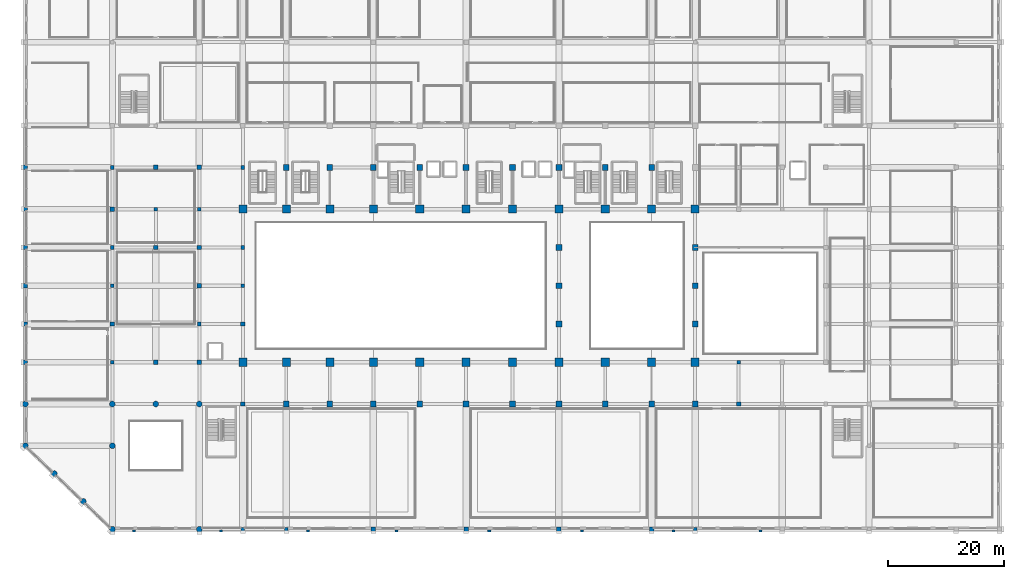
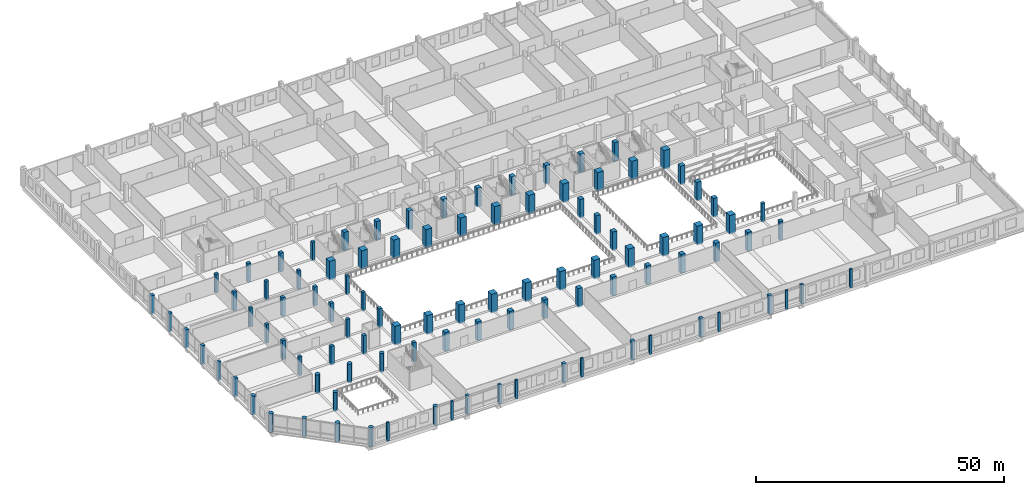
# One storey, part 1 of 64: 101 columns.
"""IFC4 building model written with IfcOpenShell, lengths in metres."""

from ifc_helpers import new_model, si_unit, direction, frame, origin, origin_2d, place, context, subcontext, project, spatial, rectangle, circle, extrude, material, material_profile, profile_set, type_object, element, save


model = new_model("IFC4")

# Units and contexts
model_context = context("Model", 3, precision=1e-05, world=origin(), true_north=direction((0.0, 1.0)))
body_context = subcontext(model_context, "Body", "Model", "MODEL_VIEW")
ifc_project = project(units=[si_unit("LENGTHUNIT", "METRE"), si_unit("AREAUNIT", "SQUARE_METRE"), si_unit("VOLUMEUNIT", "CUBIC_METRE"), si_unit("PLANEANGLEUNIT", "RADIAN"), si_unit("MASSUNIT", "GRAM", prefix="KILO")], contexts=[model_context])

# Site, building, storey
site_placement = place(None, origin())
site = spatial("IfcSite", under=ifc_project, at=site_placement, CompositionType="ELEMENT")
building_placement = place(site_placement, origin())
building = spatial("IfcBuilding", under=site, at=building_placement, Name="Akrevak Sports Hall", CompositionType="ELEMENT")
storey_placement = place(building_placement, frame((0.0, 0.0, 4.60009765625)))
storey = spatial("IfcBuildingStorey", under=building, at=storey_placement, Name="L01", CompositionType="ELEMENT", Elevation=4.60009765625)

# Columns
ifc_material_1 = material(Name="Concrete C50/60", Category="concrete")
ifc_material_profile_1 = material_profile(ifc_material_1, circle(Radius=0.5, at=origin_2d()), Name="COL D1000", Category="concrete")
ifc_profile_set_1 = profile_set([ifc_material_profile_1], Name="Concrete C50/60")
column_type_1 = type_object("IfcColumnType", Name="STR-COL-D1000", PredefinedType="COLUMN", material=ifc_profile_set_1)
for number, where, z_axis, x_axis, name in (
    (1, (0.0, 14.39990234375, -0.300048828125), (0.0, 0.0, 1.0), (1.0, 0.0, 0.0), "Column 1/C (L01)"),
    (2, (0.0, 21.60009765625, -0.300048828125), (0.0, 0.0, 1.0), (1.0, 0.0, 0.0), "Column 1/D (L01)"),
    (3, (15.0, 0.0, -0.300048828125), (0.0, 0.0, 1.0), (1.0, 0.0, 0.0), "Column 3/A (L01)"),
    (4, (15.0, 14.39990234375, -0.300048828125), (0.0, 0.0, 1.0), (1.0, 0.0, 0.0), "Column 3/C (L01)"),
    (5, (15.0, 21.60009765625, -0.300048828125), (0.0, 0.0, 1.0), (1.0, 0.0, 0.0), "Column 3/D (L01)"),
    (6, (22.5, 21.60009765625, -0.300048828125), (0.0, 0.0, 1.0), (1.0, 0.0, 0.0), "Column 4/D (L01)"),
    (7, (30.0, 0.0, -0.300048828125), (0.0, 0.0, 1.0), (1.0, 0.0, 0.0), "Column 5/A (L01)"),
    (8, (30.0, 21.60009765625, -0.300048828125), (0.0, 0.0, 1.0), (1.0, 0.0, 0.0), "Column 5/D (L01)"),
    (9, (10.0, 4.800048828125, -0.300048828125), (0.0, 0.0, 1.0), (1.0, 0.0, 0.0), "Beaux-Arts Chamfer Colonnade Column CH1 (L01)"),
    (10, (5.0, 9.60009765625, -0.300048828125), (0.0, 0.0, 1.0), (1.0, 0.0, 0.0), "Beaux-Arts Chamfer Colonnade Column CH2 (L01)"),
):
    element("IfcColumn", number, at=place(storey_placement, frame(where, z_axis=z_axis, x_axis=x_axis)), inside=storey, type_object=column_type_1, Name=name, PredefinedType="COLUMN", context=body_context, shape_type="SweptSolid", body=[
        extrude(circle(Radius=0.5, at=origin_2d()), origin(), (0.0, 0.0, 1.0), 4.64990234375),
    ])
ifc_material_profile_2 = material_profile(ifc_material_1, rectangle(XDim=1.0, YDim=1.0, at=origin_2d()), Name="RC 1000x1000", Category="concrete")
ifc_profile_set_2 = profile_set([ifc_material_profile_2], Name="Concrete C50/60")
column_type_2 = type_object("IfcColumnType", Name="STR-COL-RC1000", PredefinedType="COLUMN", material=ifc_profile_set_2)
for number, where, z_axis, x_axis, name in (
    (11, (45.0, 21.60009765625, -0.300048828125), (0.0, 0.0, 1.0), (1.0, 0.0, 0.0), "Column 7/D (L01)"),
    (12, (45.0, 62.39990234375, -0.300048828125), (0.0, 0.0, 1.0), (1.0, 0.0, 0.0), "Column 7/J (L01)"),
    (13, (52.5, 21.60009765625, -0.300048828125), (0.0, 0.0, 1.0), (1.0, 0.0, 0.0), "Column 8/D (L01)"),
    (14, (52.5, 62.39990234375, -0.300048828125), (0.0, 0.0, 1.0), (1.0, 0.0, 0.0), "Column 8/J (L01)"),
    (15, (60.0, 21.60009765625, -0.300048828125), (0.0, 0.0, 1.0), (1.0, 0.0, 0.0), "Column 9/D (L01)"),
    (16, (60.0, 62.39990234375, -0.300048828125), (0.0, 0.0, 1.0), (1.0, 0.0, 0.0), "Column 9/J (L01)"),
    (17, (68.0, 21.60009765625, -0.300048828125), (0.0, 0.0, 1.0), (1.0, 0.0, 0.0), "Column 10/D (L01)"),
    (18, (68.0, 62.39990234375, -0.300048828125), (0.0, 0.0, 1.0), (1.0, 0.0, 0.0), "Column 10/J (L01)"),
    (19, (76.0, 21.60009765625, -0.300048828125), (0.0, 0.0, 1.0), (1.0, 0.0, 0.0), "Column 11/D (L01)"),
    (20, (76.0, 62.39990234375, -0.300048828125), (0.0, 0.0, 1.0), (1.0, 0.0, 0.0), "Column 11/J (L01)"),
    (21, (84.0, 21.60009765625, -0.300048828125), (0.0, 0.0, 1.0), (1.0, 0.0, 0.0), "Column 12/D (L01)"),
    (22, (84.0, 62.39990234375, -0.300048828125), (0.0, 0.0, 1.0), (1.0, 0.0, 0.0), "Column 12/J (L01)"),
    (23, (92.0, 21.60009765625, -0.300048828125), (0.0, 0.0, 1.0), (1.0, 0.0, 0.0), "Column 13/D (L01)"),
    (24, (92.0, 35.39990234375, -0.300048828125), (0.0, 0.0, 1.0), (1.0, 0.0, 0.0), "Column 13/F (L01)"),
    (25, (92.0, 42.0, -0.300048828125), (0.0, 0.0, 1.0), (1.0, 0.0, 0.0), "Column 13/G (L01)"),
    (26, (92.0, 48.60009765625, -0.300048828125), (0.0, 0.0, 1.0), (1.0, 0.0, 0.0), "Column 13/H (L01)"),
    (27, (92.0, 62.39990234375, -0.300048828125), (0.0, 0.0, 1.0), (1.0, 0.0, 0.0), "Column 13/J (L01)"),
    (28, (100.0, 21.60009765625, -0.300048828125), (0.0, 0.0, 1.0), (1.0, 0.0, 0.0), "Column 14/D (L01)"),
    (29, (100.0, 62.39990234375, -0.300048828125), (0.0, 0.0, 1.0), (1.0, 0.0, 0.0), "Column 14/J (L01)"),
    (30, (108.0, 21.60009765625, -0.300048828125), (0.0, 0.0, 1.0), (1.0, 0.0, 0.0), "Column 15/D (L01)"),
    (31, (108.0, 62.39990234375, -0.300048828125), (0.0, 0.0, 1.0), (1.0, 0.0, 0.0), "Column 15/J (L01)"),
    (32, (115.5, 21.60009765625, -0.300048828125), (0.0, 0.0, 1.0), (1.0, 0.0, 0.0), "Column 16/D (L01)"),
    (33, (115.5, 35.39990234375, -0.300048828125), (0.0, 0.0, 1.0), (1.0, 0.0, 0.0), "Column 16/F (L01)"),
    (34, (115.5, 42.0, -0.300048828125), (0.0, 0.0, 1.0), (1.0, 0.0, 0.0), "Column 16/G (L01)"),
    (35, (115.5, 48.60009765625, -0.300048828125), (0.0, 0.0, 1.0), (1.0, 0.0, 0.0), "Column 16/H (L01)"),
):
    element("IfcColumn", number, at=place(storey_placement, frame(where, z_axis=z_axis, x_axis=x_axis)), inside=storey, type_object=column_type_2, Name=name, PredefinedType="COLUMN", context=body_context, shape_type="SweptSolid", body=[
        extrude(rectangle(XDim=1.0, YDim=1.0, at=origin_2d()), origin(), (0.0, 0.0, 1.0), 4.64990234375),
    ])
ifc_material_profile_3 = material_profile(ifc_material_1, rectangle(XDim=1.39990234375, YDim=1.39990234375, at=origin_2d()), Name="RC 1400x1400", Category="concrete")
ifc_profile_set_3 = profile_set([ifc_material_profile_3], Name="Concrete C50/60")
column_type_3 = type_object("IfcColumnType", Name="STR-COL-RC1400", PredefinedType="COLUMN", material=ifc_profile_set_3)
for number, where, z_axis, x_axis, name in (
    (36, (37.5, 28.800048828125, -0.300048828125), (0.0, 0.0, 1.0), (1.0, 0.0, 0.0), "Column 6/E (L01)"),
    (37, (37.5, 55.199951171875, -0.300048828125), (0.0, 0.0, 1.0), (1.0, 0.0, 0.0), "Column 6/I (L01)"),
    (38, (45.0, 28.800048828125, -0.300048828125), (0.0, 0.0, 1.0), (1.0, 0.0, 0.0), "Column 7/E (L01)"),
    (39, (45.0, 55.199951171875, -0.300048828125), (0.0, 0.0, 1.0), (1.0, 0.0, 0.0), "Column 7/I (L01)"),
    (40, (52.5, 28.800048828125, -0.300048828125), (0.0, 0.0, 1.0), (1.0, 0.0, 0.0), "Column 8/E (L01)"),
    (41, (52.5, 55.199951171875, -0.300048828125), (0.0, 0.0, 1.0), (1.0, 0.0, 0.0), "Column 8/I (L01)"),
    (42, (60.0, 28.800048828125, -0.300048828125), (0.0, 0.0, 1.0), (1.0, 0.0, 0.0), "Column 9/E (L01)"),
    (43, (60.0, 55.199951171875, -0.300048828125), (0.0, 0.0, 1.0), (1.0, 0.0, 0.0), "Column 9/I (L01)"),
    (44, (68.0, 28.800048828125, -0.300048828125), (0.0, 0.0, 1.0), (1.0, 0.0, 0.0), "Column 10/E (L01)"),
    (45, (68.0, 55.199951171875, -0.300048828125), (0.0, 0.0, 1.0), (1.0, 0.0, 0.0), "Column 10/I (L01)"),
    (46, (76.0, 28.800048828125, -0.300048828125), (0.0, 0.0, 1.0), (1.0, 0.0, 0.0), "Column 11/E (L01)"),
    (47, (76.0, 55.199951171875, -0.300048828125), (0.0, 0.0, 1.0), (1.0, 0.0, 0.0), "Column 11/I (L01)"),
    (48, (84.0, 28.800048828125, -0.300048828125), (0.0, 0.0, 1.0), (1.0, 0.0, 0.0), "Column 12/E (L01)"),
    (49, (84.0, 55.199951171875, -0.300048828125), (0.0, 0.0, 1.0), (1.0, 0.0, 0.0), "Column 12/I (L01)"),
    (50, (92.0, 28.800048828125, -0.300048828125), (0.0, 0.0, 1.0), (1.0, 0.0, 0.0), "Column 13/E (L01)"),
    (51, (92.0, 55.199951171875, -0.300048828125), (0.0, 0.0, 1.0), (1.0, 0.0, 0.0), "Column 13/I (L01)"),
    (52, (100.0, 28.800048828125, -0.300048828125), (0.0, 0.0, 1.0), (1.0, 0.0, 0.0), "Column 14/E (L01)"),
    (53, (100.0, 55.199951171875, -0.300048828125), (0.0, 0.0, 1.0), (1.0, 0.0, 0.0), "Column 14/I (L01)"),
    (54, (108.0, 28.800048828125, -0.300048828125), (0.0, 0.0, 1.0), (1.0, 0.0, 0.0), "Column 15/E (L01)"),
    (55, (108.0, 55.199951171875, -0.300048828125), (0.0, 0.0, 1.0), (1.0, 0.0, 0.0), "Column 15/I (L01)"),
    (56, (115.5, 28.800048828125, -0.300048828125), (0.0, 0.0, 1.0), (1.0, 0.0, 0.0), "Column 16/E (L01)"),
    (57, (115.5, 55.199951171875, -0.300048828125), (0.0, 0.0, 1.0), (1.0, 0.0, 0.0), "Column 16/I (L01)"),
):
    element("IfcColumn", number, at=place(storey_placement, frame(where, z_axis=z_axis, x_axis=x_axis)), inside=storey, type_object=column_type_3, Name=name, PredefinedType="COLUMN", context=body_context, shape_type="SweptSolid", body=[
        extrude(rectangle(XDim=1.39990234375, YDim=1.39990234375, at=origin_2d()), origin(), (0.0, 0.0, 1.0), 4.64990234375),
    ])
ifc_material_2 = material(Name="Concrete C40/50", Category="concrete")
ifc_material_profile_4 = material_profile(ifc_material_2, rectangle(XDim=0.64990234375, YDim=0.64990234375, at=origin_2d()), Name="RC 650x650", Category="concrete")
ifc_profile_set_4 = profile_set([ifc_material_profile_4], Name="Concrete C40/50")
column_type_4 = type_object("IfcColumnType", Name="STR-COL-RC650", PredefinedType="COLUMN", material=ifc_profile_set_4)
for number, where, z_axis, x_axis, name in (
    (58, (0.0, 35.39990234375, -0.300048828125), (0.0, 0.0, 1.0), (1.0, 0.0, 0.0), "Column 1/F (L01)"),
    (59, (0.0, 55.199951171875, -0.300048828125), (0.0, 0.0, 1.0), (1.0, 0.0, 0.0), "Column 1/I (L01)"),
    (60, (15.0, 28.800048828125, -0.300048828125), (0.0, 0.0, 1.0), (1.0, 0.0, 0.0), "Column 3/E (L01)"),
    (61, (15.0, 42.0, -0.300048828125), (0.0, 0.0, 1.0), (1.0, 0.0, 0.0), "Column 3/G (L01)"),
    (62, (15.0, 48.60009765625, -0.300048828125), (0.0, 0.0, 1.0), (1.0, 0.0, 0.0), "Column 3/H (L01)"),
    (63, (15.0, 62.39990234375, -0.300048828125), (0.0, 0.0, 1.0), (1.0, 0.0, 0.0), "Column 3/J (L01)"),
    (64, (22.5, 55.199951171875, -0.300048828125), (0.0, 0.0, 1.0), (1.0, 0.0, 0.0), "Column 4/I (L01)"),
    (65, (30.0, 35.39990234375, -0.300048828125), (0.0, 0.0, 1.0), (1.0, 0.0, 0.0), "Column 5/F (L01)"),
    (66, (30.0, 55.199951171875, -0.300048828125), (0.0, 0.0, 1.0), (1.0, 0.0, 0.0), "Column 5/I (L01)"),
    (67, (37.5, 0.0, -0.300048828125), (0.0, 0.0, 1.0), (1.0, 0.0, 0.0), "Column 6/A (L01)"),
    (68, (37.5, 42.0, -0.300048828125), (0.0, 0.0, 1.0), (1.0, 0.0, 0.0), "Column 6/G (L01)"),
    (69, (37.5, 48.60009765625, -0.300048828125), (0.0, 0.0, 1.0), (1.0, 0.0, 0.0), "Column 6/H (L01)"),
    (70, (37.5, 62.39990234375, -0.300048828125), (0.0, 0.0, 1.0), (1.0, 0.0, 0.0), "Column 6/J (L01)"),
    (71, (45.0, 0.0, -0.300048828125), (0.0, 0.0, 1.0), (1.0, 0.0, 0.0), "Column 7/A (L01)"),
    (72, (115.5, 0.0, -0.300048828125), (0.0, 0.0, 1.0), (1.0, 0.0, 0.0), "Column 16/A (L01)"),
    (73, (123.0, 28.800048828125, -0.300048828125), (0.0, 0.0, 1.0), (1.0, 0.0, 0.0), "Column 17/E (L01)"),
):
    element("IfcColumn", number, at=place(storey_placement, frame(where, z_axis=z_axis, x_axis=x_axis)), inside=storey, type_object=column_type_4, Name=name, PredefinedType="COLUMN", context=body_context, shape_type="SweptSolid", body=[
        extrude(rectangle(XDim=0.64990234375, YDim=0.64990234375, at=origin_2d()), origin(), (0.0, 0.0, 1.0), 4.64990234375),
    ])
ifc_material_profile_5 = material_profile(ifc_material_2, rectangle(XDim=0.75, YDim=0.75, at=origin_2d()), Name="RC 750x750", Category="concrete")
ifc_profile_set_5 = profile_set([ifc_material_profile_5], Name="Concrete C40/50")
column_type_5 = type_object("IfcColumnType", Name="STR-COL-RC750", PredefinedType="COLUMN", material=ifc_profile_set_5)
for number, where, z_axis, x_axis, name in (
    (74, (0.0, 28.800048828125, -0.300048828125), (0.0, 0.0, 1.0), (1.0, 0.0, 0.0), "Column 1/E (L01)"),
    (75, (0.0, 42.0, -0.300048828125), (0.0, 0.0, 1.0), (1.0, 0.0, 0.0), "Column 1/G (L01)"),
    (76, (0.0, 48.60009765625, -0.300048828125), (0.0, 0.0, 1.0), (1.0, 0.0, 0.0), "Column 1/H (L01)"),
    (77, (0.0, 62.39990234375, -0.300048828125), (0.0, 0.0, 1.0), (1.0, 0.0, 0.0), "Column 1/J (L01)"),
    (78, (15.0, 35.39990234375, -0.300048828125), (0.0, 0.0, 1.0), (1.0, 0.0, 0.0), "Column 3/F (L01)"),
    (79, (15.0, 55.199951171875, -0.300048828125), (0.0, 0.0, 1.0), (1.0, 0.0, 0.0), "Column 3/I (L01)"),
    (80, (22.5, 28.800048828125, -0.300048828125), (0.0, 0.0, 1.0), (1.0, 0.0, 0.0), "Column 4/E (L01)"),
    (81, (22.5, 48.60009765625, -0.300048828125), (0.0, 0.0, 1.0), (1.0, 0.0, 0.0), "Column 4/H (L01)"),
    (82, (22.5, 62.39990234375, -0.300048828125), (0.0, 0.0, 1.0), (1.0, 0.0, 0.0), "Column 4/J (L01)"),
    (83, (30.0, 28.800048828125, -0.300048828125), (0.0, 0.0, 1.0), (1.0, 0.0, 0.0), "Column 5/E (L01)"),
    (84, (30.0, 42.0, -0.300048828125), (0.0, 0.0, 1.0), (1.0, 0.0, 0.0), "Column 5/G (L01)"),
    (85, (30.0, 48.60009765625, -0.300048828125), (0.0, 0.0, 1.0), (1.0, 0.0, 0.0), "Column 5/H (L01)"),
    (86, (30.0, 62.39990234375, -0.300048828125), (0.0, 0.0, 1.0), (1.0, 0.0, 0.0), "Column 5/J (L01)"),
    (87, (37.5, 21.60009765625, -0.300048828125), (0.0, 0.0, 1.0), (1.0, 0.0, 0.0), "Column 6/D (L01)"),
    (88, (37.5, 35.39990234375, -0.300048828125), (0.0, 0.0, 1.0), (1.0, 0.0, 0.0), "Column 6/F (L01)"),
    (89, (60.0, 0.0, -0.300048828125), (0.0, 0.0, 1.0), (1.0, 0.0, 0.0), "Column 9/A (L01)"),
    (90, (76.0, 0.0, -0.300048828125), (0.0, 0.0, 1.0), (1.0, 0.0, 0.0), "Column 11/A (L01)"),
    (91, (92.0, 0.0, -0.300048828125), (0.0, 0.0, 1.0), (1.0, 0.0, 0.0), "Column 13/A (L01)"),
    (92, (108.0, 0.0, -0.300048828125), (0.0, 0.0, 1.0), (1.0, 0.0, 0.0), "Column 15/A (L01)"),
    (93, (123.0, 21.60009765625, -0.300048828125), (0.0, 0.0, 1.0), (1.0, 0.0, 0.0), "Column 17/D (L01)"),
):
    element("IfcColumn", number, at=place(storey_placement, frame(where, z_axis=z_axis, x_axis=x_axis)), inside=storey, type_object=column_type_5, Name=name, PredefinedType="COLUMN", context=body_context, shape_type="SweptSolid", body=[
        extrude(rectangle(XDim=0.75, YDim=0.75, at=origin_2d()), origin(), (0.0, 0.0, 1.0), 4.64990234375),
    ])
ifc_material_profile_6 = material_profile(ifc_material_2, rectangle(XDim=0.550048828125, YDim=0.35009765625, at=origin_2d()), Name="PIL 550x350", Category="concrete")
ifc_profile_set_6 = profile_set([ifc_material_profile_6], Name="Concrete C40/50")
column_type_6 = type_object("IfcColumnType", Name="STR-PIL-550x350", PredefinedType="PILASTER", material=ifc_profile_set_6)
for number, where, z_axis, x_axis, name in (
    (94, (18.75, -0.260009765625, -0.300048828125), (0.0, 0.0, 1.0), (1.0, 0.0, 0.0), "Beaux-Arts Pilaster S01 (L01)"),
    (95, (33.75, -0.260009765625, -0.300048828125), (0.0, 0.0, 1.0), (1.0, 0.0, 0.0), "Beaux-Arts Pilaster S02 (L01)"),
    (96, (48.75, -0.260009765625, -0.300048828125), (0.0, 0.0, 1.0), (1.0, 0.0, 0.0), "Beaux-Arts Pilaster S03 (L01)"),
    (97, (64.0, -0.260009765625, -0.300048828125), (0.0, 0.0, 1.0), (1.0, 0.0, 0.0), "Beaux-Arts Pilaster S04 (L01)"),
    (98, (80.0, -0.260009765625, -0.300048828125), (0.0, 0.0, 1.0), (1.0, 0.0, 0.0), "Beaux-Arts Pilaster S05 (L01)"),
    (99, (96.0, -0.260009765625, -0.300048828125), (0.0, 0.0, 1.0), (1.0, 0.0, 0.0), "Beaux-Arts Pilaster S06 (L01)"),
    (100, (111.75, -0.260009765625, -0.300048828125), (0.0, 0.0, 1.0), (1.0, 0.0, 0.0), "Beaux-Arts Pilaster S07 (L01)"),
    (101, (126.75, -0.260009765625, -0.300048828125), (0.0, 0.0, 1.0), (1.0, 0.0, 0.0), "Beaux-Arts Pilaster S08 (L01)"),
):
    element("IfcColumn", number, at=place(storey_placement, frame(where, z_axis=z_axis, x_axis=x_axis)), inside=storey, type_object=column_type_6, Name=name, PredefinedType="PILASTER", context=body_context, shape_type="SweptSolid", body=[
        extrude(rectangle(XDim=0.550048828125, YDim=0.35009765625, at=origin_2d()), origin(), (0.0, 0.0, 1.0), 4.64990234375),
    ])

save(model, "model.ifc")
